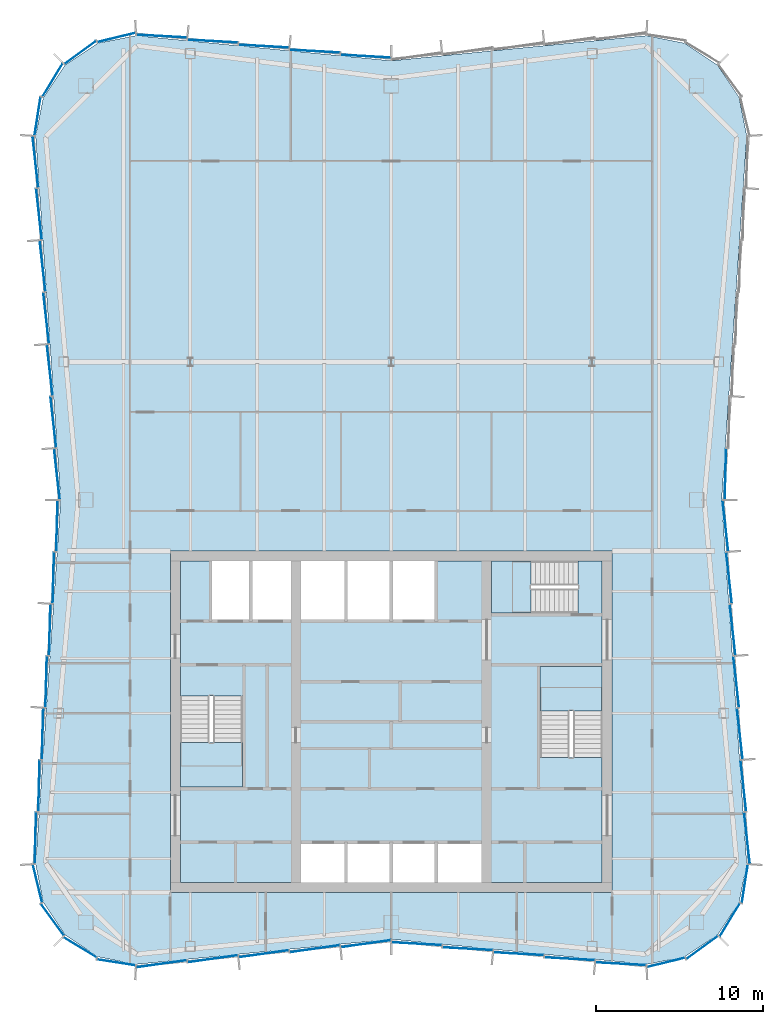
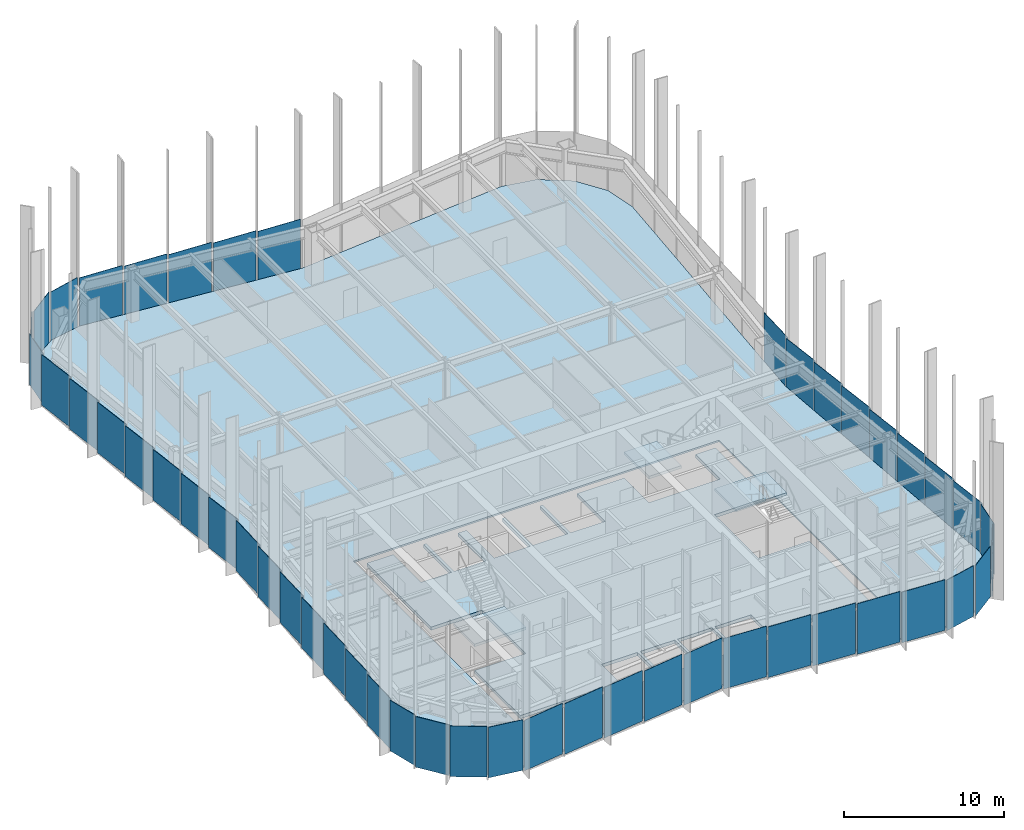
# One storey, part 8 of 13: 49 plates, 5 slabs, 10 elements without a shape of their own.
"""IFC4 building model written with IfcOpenShell, lengths in metres."""

from ifc_helpers import new_model, si_unit, direction, frame, origin, origin_2d, place, context, subcontext, project, spatial, polyline, rectangle, outline, extrude, material, layer, layer_set, type_object, element, aggregate, save


model = new_model("IFC4")

# Units and contexts
model_context = context("Model", 3, precision=1e-05, world=origin(), true_north=direction((0.0, 1.0)))
body_context = subcontext(model_context, "Body", "Model", "MODEL_VIEW")
ifc_project = project(units=[si_unit("LENGTHUNIT", "METRE"), si_unit("AREAUNIT", "SQUARE_METRE"), si_unit("VOLUMEUNIT", "CUBIC_METRE"), si_unit("PLANEANGLEUNIT", "RADIAN"), si_unit("MASSUNIT", "GRAM", prefix="KILO")], contexts=[model_context])

# Site, building, storey
site_placement = place(None, origin())
site = spatial("IfcSite", under=ifc_project, at=site_placement, CompositionType="ELEMENT")
building_placement = place(site_placement, origin())
building = spatial("IfcBuilding", under=site, at=building_placement, Name="Verdant Reach Tower", CompositionType="ELEMENT")
storey_placement = place(building_placement, frame((0.0, 0.0, 318.0)))
storey = spatial("IfcBuildingStorey", under=building, at=storey_placement, Name="L73", CompositionType="ELEMENT", Elevation=318.0)

# Stair, slab
ifc_material_1 = material(Name="Concrete C40/50", Category="concrete")
stair_type = type_object("IfcStairType", Name="CO-STAIR", PredefinedType="HALF_TURN_STAIR", material=ifc_material_1)
stair_1_placement = place(storey_placement, origin())
stair_1 = element("IfcStair", 1, at=stair_1_placement, inside=storey, type_object=stair_type, Name="L73 Exit stair 1", PredefinedType="HALF_TURN_STAIR")
ifc_layer_1 = layer(ifc_material_1, 0.199951171875)
ifc_layer_set_1 = layer_set([ifc_layer_1], Name="CO-STAIR-LANDING")
slab_type_1 = type_object("IfcSlabType", Name="CO-STAIR-LANDING", PredefinedType="LANDING", material=ifc_layer_set_1)
slab_1_placement = place(storey_placement, frame((0.0, 0.0, 1.800048828125)))
slab_1 = element("IfcSlab", 2, at=slab_1_placement, type_object=slab_type_1, Name="ST-1 landing 1", PredefinedType="LANDING", context=body_context, shape_type="SweptSolid", body=[
    extrude(outline(polyline([(-12.60009765625, 26.75), (-12.60009765625, 24.10009765625), (-8.89990234375, 24.10009765625), (-8.89990234375, 26.75), (-12.60009765625, 26.75)])), origin(), (0.0, 0.0, 1.0), 0.199951171875),
])
aggregate(stair_1, [slab_1])

stair_2_placement = place(storey_placement, origin())
stair_2 = element("IfcStair", 3, at=stair_2_placement, inside=storey, type_object=stair_type, Name="L73 Exit stair 2", PredefinedType="HALF_TURN_STAIR")
slab_2_placement = place(storey_placement, frame((0.0, 0.0, 1.800048828125)))
slab_2 = element("IfcSlab", 4, at=slab_2_placement, type_object=slab_type_1, Name="ST-2 landing 1", PredefinedType="LANDING", context=body_context, shape_type="SweptSolid", body=[
    extrude(outline(polyline([(12.60009765625, 28.64990234375), (12.60009765625, 31.300048828125), (8.89990234375, 31.300048828125), (8.89990234375, 28.64990234375), (12.60009765625, 28.64990234375)])), origin(), (0.0, 0.0, 1.0), 0.199951171875),
])
aggregate(stair_2, [slab_2])

stair_3_placement = place(storey_placement, origin())
stair_3 = element("IfcStair", 5, at=stair_3_placement, inside=storey, type_object=stair_type, Name="L73 Exit stair 3", PredefinedType="HALF_TURN_STAIR")
slab_3_placement = place(storey_placement, frame((0.0, 0.0, 1.800048828125)))
slab_3 = element("IfcSlab", 6, at=slab_3_placement, type_object=slab_type_1, Name="ST-3 landing 1", PredefinedType="LANDING", context=body_context, shape_type="SweptSolid", body=[
    extrude(outline(polyline([(8.35009765625, 37.60009765625), (6.0, 37.60009765625), (6.0, 34.5), (8.35009765625, 34.5), (8.35009765625, 37.60009765625)])), origin(), (0.0, 0.0, 1.0), 0.199951171875),
])
aggregate(stair_3, [slab_3])

# Curtain wall, plates
ifc_material_2 = material(Name="Anodised aluminium", Category="aluminium")
curtain_wall_type = type_object("IfcCurtainWallType", Name="EN-CW SYSTEM Z5", PredefinedType="NOTDEFINED", material=ifc_material_2)
curtain_wall_1_placement = place(storey_placement, origin())
curtain_wall_1 = element("IfcCurtainWall", 7, at=curtain_wall_1_placement, inside=storey, type_object=curtain_wall_type, Name="Curtain wall south-east corner, L73", PredefinedType="NOTDEFINED")
ifc_material_3 = material(Name="Tinted glass with champagne spandrel", Category="glass")
ifc_layer_2 = layer(ifc_material_3, 0.031982421875)
ifc_layer_set_2 = layer_set([ifc_layer_2], Name="EN-PANEL CHAMPAGNE")
plate_type_1 = type_object("IfcPlateType", Name="EN-PANEL CHAMPAGNE", PredefinedType="CURTAIN_PANEL", material=ifc_layer_set_2)
plate_1_placement = place(storey_placement, frame((16.4228515625, 13.61767578125, -0.219970703125), z_axis=(0.0, 0.0, 1.0), x_axis=(0.971661765526, 0.236375577028, 0.0)))
plate_1 = element("IfcPlate", 8, at=plate_1_placement, type_object=plate_type_1, Name="Glass panel south-east corner 1.1, L73", PredefinedType="CURTAIN_PANEL", context=body_context, shape_type="SweptSolid", body=[
    extrude(rectangle(XDim=2.314453125, YDim=0.031982421875, at=origin_2d()), origin(), (0.0, 0.0, 1.0), 3.8701171875),
])
plate_2_placement = place(storey_placement, frame((18.58203125, 14.51318359375, -0.219970703125), z_axis=(0.0, 0.0, 1.0), x_axis=(0.807456783236, 0.58992672698, 0.0)))
plate_2 = element("IfcPlate", 9, at=plate_2_placement, type_object=plate_type_1, Name="Glass panel south-east corner 2.1, L73", PredefinedType="CURTAIN_PANEL", context=body_context, shape_type="SweptSolid", body=[
    extrude(rectangle(XDim=2.320068359375, YDim=0.031982421875, at=origin_2d()), origin(), (0.0, 0.0, 1.0), 3.8701171875),
])

curtain_wall_2_placement = place(storey_placement, origin())
curtain_wall_2 = element("IfcCurtainWall", 10, at=curtain_wall_2_placement, inside=storey, type_object=curtain_wall_type, Name="Curtain wall east, L73", PredefinedType="NOTDEFINED")
plate_3_placement = place(storey_placement, frame((20.18603515625, 36.59716796875, -0.219970703125), z_axis=(0.0, 0.0, 1.0), x_axis=(-0.110518162674, 0.993874104562, 0.0)))
plate_3 = element("IfcPlate", 11, at=plate_3_placement, type_object=plate_type_1, Name="Glass panel east face part 1 6.1, L73", PredefinedType="CURTAIN_PANEL", context=body_context, shape_type="SweptSolid", body=[
    extrude(rectangle(XDim=3.048583984375, YDim=0.031982421875, at=origin_2d()), origin(), (0.0, 0.0, 1.0), 3.8701171875),
])
plate_4_placement = place(storey_placement, frame((19.971923828125, 39.700439453125, -0.219970703125), z_axis=(0.0, 0.0, 1.0), x_axis=(-0.110605344993, 0.993864406073, 0.0)))
plate_4 = element("IfcPlate", 12, at=plate_4_placement, type_object=plate_type_1, Name="Glass panel east face part 1 7.1, L73", PredefinedType="CURTAIN_PANEL", context=body_context, shape_type="SweptSolid", body=[
    extrude(rectangle(XDim=3.04052734375, YDim=0.031982421875, at=origin_2d()), origin(), (0.0, 0.0, 1.0), 3.8701171875),
])
plate_5_placement = place(storey_placement, frame((19.971923828125, 42.799560546875, -0.219970703125), z_axis=(0.0, 0.0, 1.0), x_axis=(0.027053006415, 0.999634000444, 0.0)))
plate_5 = element("IfcPlate", 13, at=plate_5_placement, type_object=plate_type_1, Name="Glass panel east face part 2 1.1, L73", PredefinedType="CURTAIN_PANEL", context=body_context, shape_type="SweptSolid", body=[
    extrude(rectangle(XDim=3.04052734375, YDim=0.031982421875, at=origin_2d()), origin(), (0.0, 0.0, 1.0), 3.8701171875),
])

curtain_wall_3_placement = place(storey_placement, origin())
curtain_wall_3 = element("IfcCurtainWall", 14, at=curtain_wall_3_placement, inside=storey, type_object=curtain_wall_type, Name="Curtain wall west, L73", PredefinedType="NOTDEFINED")
plate_6_placement = place(storey_placement, frame((-20.8291015625, 55.22412109375, -0.219970703125), z_axis=(0.0, 0.0, 1.0), x_axis=(0.110518162674, -0.993874104562, 0.0)))
plate_6 = element("IfcPlate", 15, at=plate_6_placement, type_object=plate_type_1, Name="Glass panel west face part 1 3.1, L73", PredefinedType="CURTAIN_PANEL", context=body_context, shape_type="SweptSolid", body=[
    extrude(rectangle(XDim=3.048583984375, YDim=0.031982421875, at=origin_2d()), origin(), (0.0, 0.0, 1.0), 3.8701171875),
])
plate_7_placement = place(storey_placement, frame((-20.61474609375, 52.1171875, -0.219970703125), z_axis=(0.0, 0.0, 1.0), x_axis=(0.110518162674, -0.993874104562, 0.0)))
plate_7 = element("IfcPlate", 16, at=plate_7_placement, type_object=plate_type_1, Name="Glass panel west face part 1 4.1, L73", PredefinedType="CURTAIN_PANEL", context=body_context, shape_type="SweptSolid", body=[
    extrude(rectangle(XDim=3.048583984375, YDim=0.031982421875, at=origin_2d()), origin(), (0.0, 0.0, 1.0), 3.8701171875),
])
plate_8_placement = place(storey_placement, frame((-20.61474609375, 30.3828125, -0.219970703125), z_axis=(0.0, 0.0, 1.0), x_axis=(-0.026965318308, -0.999636369691, 0.0)))
plate_8 = element("IfcPlate", 17, at=plate_8_placement, type_object=plate_type_1, Name="Glass panel west face part 2 4.1, L73", PredefinedType="CURTAIN_PANEL", context=body_context, shape_type="SweptSolid", body=[
    extrude(rectangle(XDim=3.048583984375, YDim=0.031982421875, at=origin_2d()), origin(), (0.0, 0.0, 1.0), 3.8701171875),
])
plate_9_placement = place(storey_placement, frame((-20.8291015625, 27.27587890625, -0.219970703125), z_axis=(0.0, 0.0, 1.0), x_axis=(-0.026965318308, -0.999636369691, 0.0)))
plate_9 = element("IfcPlate", 18, at=plate_9_placement, type_object=plate_type_1, Name="Glass panel west face part 2 5.1, L73", PredefinedType="CURTAIN_PANEL", context=body_context, shape_type="SweptSolid", body=[
    extrude(rectangle(XDim=3.048583984375, YDim=0.031982421875, at=origin_2d()), origin(), (0.0, 0.0, 1.0), 3.8701171875),
])
plate_10_placement = place(storey_placement, frame((-21.043212890625, 24.168701171875, -0.219970703125), z_axis=(0.0, 0.0, 1.0), x_axis=(-0.026965318308, -0.999636369691, 0.0)))
plate_10 = element("IfcPlate", 19, at=plate_10_placement, type_object=plate_type_1, Name="Glass panel west face part 2 6.1, L73", PredefinedType="CURTAIN_PANEL", context=body_context, shape_type="SweptSolid", body=[
    extrude(rectangle(XDim=3.048583984375, YDim=0.031982421875, at=origin_2d()), origin(), (0.0, 0.0, 1.0), 3.8701171875),
])

curtain_wall_4_placement = place(storey_placement, origin())
curtain_wall_4 = element("IfcCurtainWall", 20, at=curtain_wall_4_placement, inside=storey, type_object=curtain_wall_type, Name="Curtain wall south-west corner, L73", PredefinedType="NOTDEFINED")
plate_11_placement = place(storey_placement, frame((-18.58203125, 14.51318359375, -0.219970703125), z_axis=(0.0, 0.0, 1.0), x_axis=(0.853988714885, -0.520291528711, 0.0)))
plate_11 = element("IfcPlate", 21, at=plate_11_placement, type_object=plate_type_1, Name="Glass panel south-west corner 3.1, L73", PredefinedType="CURTAIN_PANEL", context=body_context, shape_type="SweptSolid", body=[
    extrude(rectangle(XDim=2.320068359375, YDim=0.031982421875, at=origin_2d()), origin(), (0.0, 0.0, 1.0), 3.8701171875),
])
plate_12_placement = place(storey_placement, frame((-16.4228515625, 13.61767578125, -0.219970703125), z_axis=(0.0, 0.0, 1.0), x_axis=(0.988033409454, -0.154240013621, 0.0)))
plate_12 = element("IfcPlate", 22, at=plate_12_placement, type_object=plate_type_1, Name="Glass panel south-west corner 4.1, L73", PredefinedType="CURTAIN_PANEL", context=body_context, shape_type="SweptSolid", body=[
    extrude(rectangle(XDim=2.314453125, YDim=0.031982421875, at=origin_2d()), origin(), (0.0, 0.0, 1.0), 3.8701171875),
])

curtain_wall_5_placement = place(storey_placement, origin())
curtain_wall_5 = element("IfcCurtainWall", 23, at=curtain_wall_5_placement, inside=storey, type_object=curtain_wall_type, Name="Curtain wall south, L73", PredefinedType="NOTDEFINED")
plate_13_placement = place(storey_placement, frame((-13.72216796875, 13.535400390625, -0.219970703125), z_axis=(0.0, 0.0, 1.0), x_axis=(0.990281521639, 0.139077345032, 0.0)))
plate_13 = element("IfcPlate", 24, at=plate_13_placement, type_object=plate_type_1, Name="Glass panel south face part 1 1.1, L73", PredefinedType="CURTAIN_PANEL", context=body_context, shape_type="SweptSolid", body=[
    extrude(rectangle(XDim=3.015625, YDim=0.031982421875, at=origin_2d()), origin(), (0.0, 0.0, 1.0), 3.8701171875),
])
plate_14_placement = place(storey_placement, frame((-10.663818359375, 13.83544921875, -0.219970703125), z_axis=(0.0, 0.0, 1.0), x_axis=(0.990225318365, 0.139476947446, 0.0)))
plate_14 = element("IfcPlate", 25, at=plate_14_placement, type_object=plate_type_1, Name="Glass panel south face part 1 2.1, L73", PredefinedType="CURTAIN_PANEL", context=body_context, shape_type="SweptSolid", body=[
    extrude(rectangle(XDim=2.998779296875, YDim=0.031982421875, at=origin_2d()), origin(), (0.0, 0.0, 1.0), 3.8701171875),
])
plate_15_placement = place(storey_placement, frame((4.563720703125, 14.435546875, -0.219970703125), z_axis=(0.0, 0.0, 1.0), x_axis=(0.998423588956, -0.056127863106, 0.0)))
plate_15 = element("IfcPlate", 26, at=plate_15_placement, type_object=plate_type_1, Name="Glass panel south face part 2 2.1, L73", PredefinedType="CURTAIN_PANEL", context=body_context, shape_type="SweptSolid", body=[
    extrude(rectangle(XDim=2.998779296875, YDim=0.031982421875, at=origin_2d()), origin(), (0.0, 0.0, 1.0), 3.8701171875),
])
plate_16_placement = place(storey_placement, frame((7.61376953125, 14.135498046875, -0.219970703125), z_axis=(0.0, 0.0, 1.0), x_axis=(0.998423588956, -0.056127863106, 0.0)))
plate_16 = element("IfcPlate", 27, at=plate_16_placement, type_object=plate_type_1, Name="Glass panel south face part 2 3.1, L73", PredefinedType="CURTAIN_PANEL", context=body_context, shape_type="SweptSolid", body=[
    extrude(rectangle(XDim=2.998779296875, YDim=0.031982421875, at=origin_2d()), origin(), (0.0, 0.0, 1.0), 3.8701171875),
])
plate_17_placement = place(storey_placement, frame((10.663818359375, 13.83544921875, -0.219970703125), z_axis=(0.0, 0.0, 1.0), x_axis=(0.998423588956, -0.056127863106, 0.0)))
plate_17 = element("IfcPlate", 28, at=plate_17_placement, type_object=plate_type_1, Name="Glass panel south face part 2 4.1, L73", PredefinedType="CURTAIN_PANEL", context=body_context, shape_type="SweptSolid", body=[
    extrude(rectangle(XDim=2.998779296875, YDim=0.031982421875, at=origin_2d()), origin(), (0.0, 0.0, 1.0), 3.8701171875),
])

# Plate
ifc_material_4 = material(Name="Tinted glass with copper spandrel", Category="glass")
ifc_layer_3 = layer(ifc_material_4, 0.031982421875)
ifc_layer_set_3 = layer_set([ifc_layer_3], Name="EN-PANEL COPPER")
plate_type_2 = type_object("IfcPlateType", Name="EN-PANEL COPPER", PredefinedType="CURTAIN_PANEL", material=ifc_layer_set_3)
plate_18_placement = place(storey_placement, frame((20.23681640625, 16.16796875, -0.219970703125), z_axis=(0.0, 0.0, 1.0), x_axis=(0.520291528711, 0.853988714885, 0.0)))
plate_18 = element("IfcPlate", 29, at=plate_18_placement, type_object=plate_type_2, Name="Glass panel south-east corner 3.1, L73", PredefinedType="CURTAIN_PANEL", context=body_context, shape_type="SweptSolid", body=[
    extrude(rectangle(XDim=2.320068359375, YDim=0.031982421875, at=origin_2d()), origin(), (0.0, 0.0, 1.0), 3.8701171875),
])

plate_19_placement = place(storey_placement, frame((21.132080078125, 18.326171875, -0.219970703125), z_axis=(0.0, 0.0, 1.0), x_axis=(0.154337499461, 0.988018186199, 0.0)))
plate_19 = element("IfcPlate", 30, at=plate_19_placement, type_object=plate_type_2, Name="Glass panel south-east corner 4.1, L73", PredefinedType="CURTAIN_PANEL", context=body_context, shape_type="SweptSolid", body=[
    extrude(rectangle(XDim=2.312744140625, YDim=0.031982421875, at=origin_2d()), origin(), (0.0, 0.0, 1.0), 3.8701171875),
])

aggregate(curtain_wall_1, [plate_1, plate_2, plate_18, plate_19])

plate_20_placement = place(storey_placement, frame((21.257568359375, 21.053955078125, -0.219970703125), z_axis=(0.0, 0.0, 1.0), x_axis=(-0.110197580247, 0.993909700782, 0.0)))
plate_20 = element("IfcPlate", 31, at=plate_20_placement, type_object=plate_type_2, Name="Glass panel east face part 1 1.1, L73", PredefinedType="CURTAIN_PANEL", context=body_context, shape_type="SweptSolid", body=[
    extrude(rectangle(XDim=3.063720703125, YDim=0.031982421875, at=origin_2d()), origin(), (0.0, 0.0, 1.0), 3.8701171875),
])

plate_21_placement = place(storey_placement, frame((21.043212890625, 24.168701171875, -0.219970703125), z_axis=(0.0, 0.0, 1.0), x_axis=(-0.110518162674, 0.993874104562, 0.0)))
plate_21 = element("IfcPlate", 32, at=plate_21_placement, type_object=plate_type_2, Name="Glass panel east face part 1 2.1, L73", PredefinedType="CURTAIN_PANEL", context=body_context, shape_type="SweptSolid", body=[
    extrude(rectangle(XDim=3.048583984375, YDim=0.031982421875, at=origin_2d()), origin(), (0.0, 0.0, 1.0), 3.8701171875),
])

plate_22_placement = place(storey_placement, frame((20.8291015625, 27.27587890625, -0.219970703125), z_axis=(0.0, 0.0, 1.0), x_axis=(-0.110518162674, 0.993874104562, 0.0)))
plate_22 = element("IfcPlate", 33, at=plate_22_placement, type_object=plate_type_2, Name="Glass panel east face part 1 3.1, L73", PredefinedType="CURTAIN_PANEL", context=body_context, shape_type="SweptSolid", body=[
    extrude(rectangle(XDim=3.048583984375, YDim=0.031982421875, at=origin_2d()), origin(), (0.0, 0.0, 1.0), 3.8701171875),
])

# Curtain wall, plates
curtain_wall_6_placement = place(storey_placement, origin())
curtain_wall_6 = element("IfcCurtainWall", 34, at=curtain_wall_6_placement, inside=storey, type_object=curtain_wall_type, Name="Curtain wall north, L73", PredefinedType="NOTDEFINED")
plate_23_placement = place(storey_placement, frame((-1.519287109375, 67.7646484375, -0.219970703125), z_axis=(0.0, 0.0, 1.0), x_axis=(-0.998413420442, 0.05630845301, 0.0)))
plate_23 = element("IfcPlate", 35, at=plate_23_placement, type_object=plate_type_2, Name="Glass panel north face part 2 1.1, L73", PredefinedType="CURTAIN_PANEL", context=body_context, shape_type="SweptSolid", body=[
    extrude(rectangle(XDim=2.987548828125, YDim=0.031982421875, at=origin_2d()), origin(), (0.0, 0.0, 1.0), 3.8701171875),
])
plate_24_placement = place(storey_placement, frame((-4.563720703125, 68.064453125, -0.219970703125), z_axis=(0.0, 0.0, 1.0), x_axis=(-0.998423588956, 0.056127863106, 0.0)))
plate_24 = element("IfcPlate", 36, at=plate_24_placement, type_object=plate_type_2, Name="Glass panel north face part 2 2.1, L73", PredefinedType="CURTAIN_PANEL", context=body_context, shape_type="SweptSolid", body=[
    extrude(rectangle(XDim=2.998779296875, YDim=0.031982421875, at=origin_2d()), origin(), (0.0, 0.0, 1.0), 3.8701171875),
])
plate_25_placement = place(storey_placement, frame((-7.61376953125, 68.364501953125, -0.219970703125), z_axis=(0.0, 0.0, 1.0), x_axis=(-0.998423588956, 0.056127863106, 0.0)))
plate_25 = element("IfcPlate", 37, at=plate_25_placement, type_object=plate_type_2, Name="Glass panel north face part 2 3.1, L73", PredefinedType="CURTAIN_PANEL", context=body_context, shape_type="SweptSolid", body=[
    extrude(rectangle(XDim=2.998779296875, YDim=0.031982421875, at=origin_2d()), origin(), (0.0, 0.0, 1.0), 3.8701171875),
])

# Curtain wall, plate
curtain_wall_7_placement = place(storey_placement, origin())
curtain_wall_7 = element("IfcCurtainWall", 38, at=curtain_wall_7_placement, inside=storey, type_object=curtain_wall_type, Name="Curtain wall north-west corner, L73", PredefinedType="NOTDEFINED")
plate_26_placement = place(storey_placement, frame((-16.4228515625, 68.88232421875, -0.219970703125), z_axis=(0.0, 0.0, 1.0), x_axis=(-0.971661765526, -0.236375577028, 0.0)))
plate_26 = element("IfcPlate", 39, at=plate_26_placement, type_object=plate_type_2, Name="Glass panel north-west corner 1.1, L73", PredefinedType="CURTAIN_PANEL", context=body_context, shape_type="SweptSolid", body=[
    extrude(rectangle(XDim=2.314453125, YDim=0.031982421875, at=origin_2d()), origin(), (0.0, 0.0, 1.0), 3.8701171875),
])

# Plate
plate_27_placement = place(storey_placement, frame((-20.400390625, 49.010009765625, -0.219970703125), z_axis=(0.0, 0.0, 1.0), x_axis=(0.110518162674, -0.993874104562, 0.0)))
plate_27 = element("IfcPlate", 40, at=plate_27_placement, type_object=plate_type_2, Name="Glass panel west face part 1 5.1, L73", PredefinedType="CURTAIN_PANEL", context=body_context, shape_type="SweptSolid", body=[
    extrude(rectangle(XDim=3.048583984375, YDim=0.031982421875, at=origin_2d()), origin(), (0.0, 0.0, 1.0), 3.8701171875),
])

plate_28_placement = place(storey_placement, frame((-20.18603515625, 45.90283203125, -0.219970703125), z_axis=(0.0, 0.0, 1.0), x_axis=(0.110518162674, -0.993874104562, 0.0)))
plate_28 = element("IfcPlate", 41, at=plate_28_placement, type_object=plate_type_2, Name="Glass panel west face part 1 6.1, L73", PredefinedType="CURTAIN_PANEL", context=body_context, shape_type="SweptSolid", body=[
    extrude(rectangle(XDim=3.048583984375, YDim=0.031982421875, at=origin_2d()), origin(), (0.0, 0.0, 1.0), 3.8701171875),
])

plate_29_placement = place(storey_placement, frame((-19.971923828125, 42.799560546875, -0.219970703125), z_axis=(0.0, 0.0, 1.0), x_axis=(0.110605344993, -0.993864406073, 0.0)))
plate_29 = element("IfcPlate", 42, at=plate_29_placement, type_object=plate_type_2, Name="Glass panel west face part 1 7.1, L73", PredefinedType="CURTAIN_PANEL", context=body_context, shape_type="SweptSolid", body=[
    extrude(rectangle(XDim=3.04052734375, YDim=0.031982421875, at=origin_2d()), origin(), (0.0, 0.0, 1.0), 3.8701171875),
])

plate_30_placement = place(storey_placement, frame((-19.971923828125, 39.700439453125, -0.219970703125), z_axis=(0.0, 0.0, 1.0), x_axis=(-0.027053006415, -0.999634000444, 0.0)))
plate_30 = element("IfcPlate", 43, at=plate_30_placement, type_object=plate_type_2, Name="Glass panel west face part 2 1.1, L73", PredefinedType="CURTAIN_PANEL", context=body_context, shape_type="SweptSolid", body=[
    extrude(rectangle(XDim=3.04052734375, YDim=0.031982421875, at=origin_2d()), origin(), (0.0, 0.0, 1.0), 3.8701171875),
])

plate_31_placement = place(storey_placement, frame((-21.257568359375, 21.053955078125, -0.219970703125), z_axis=(0.0, 0.0, 1.0), x_axis=(-0.026642881595, -0.999645015423, 0.0)))
plate_31 = element("IfcPlate", 44, at=plate_31_placement, type_object=plate_type_2, Name="Glass panel west face part 2 7.1, L73", PredefinedType="CURTAIN_PANEL", context=body_context, shape_type="SweptSolid", body=[
    extrude(rectangle(XDim=3.063720703125, YDim=0.031982421875, at=origin_2d()), origin(), (0.0, 0.0, 1.0), 3.8701171875),
])

plate_32_placement = place(storey_placement, frame((-7.61376953125, 14.135498046875, -0.219970703125), z_axis=(0.0, 0.0, 1.0), x_axis=(0.990225318365, 0.139476947446, 0.0)))
plate_32 = element("IfcPlate", 45, at=plate_32_placement, type_object=plate_type_2, Name="Glass panel south face part 1 3.1, L73", PredefinedType="CURTAIN_PANEL", context=body_context, shape_type="SweptSolid", body=[
    extrude(rectangle(XDim=2.998779296875, YDim=0.031982421875, at=origin_2d()), origin(), (0.0, 0.0, 1.0), 3.8701171875),
])

plate_33_placement = place(storey_placement, frame((-4.563720703125, 14.435546875, -0.219970703125), z_axis=(0.0, 0.0, 1.0), x_axis=(0.990225318365, 0.139476947446, 0.0)))
plate_33 = element("IfcPlate", 46, at=plate_33_placement, type_object=plate_type_2, Name="Glass panel south face part 1 4.1, L73", PredefinedType="CURTAIN_PANEL", context=body_context, shape_type="SweptSolid", body=[
    extrude(rectangle(XDim=2.998779296875, YDim=0.031982421875, at=origin_2d()), origin(), (0.0, 0.0, 1.0), 3.8701171875),
])

plate_34_placement = place(storey_placement, frame((-1.519287109375, 14.7353515625, -0.219970703125), z_axis=(0.0, 0.0, 1.0), x_axis=(0.990200074141, 0.139656053116, 0.0)))
plate_34 = element("IfcPlate", 47, at=plate_34_placement, type_object=plate_type_2, Name="Glass panel south face part 1 5.1, L73", PredefinedType="CURTAIN_PANEL", context=body_context, shape_type="SweptSolid", body=[
    extrude(rectangle(XDim=2.987548828125, YDim=0.031982421875, at=origin_2d()), origin(), (0.0, 0.0, 1.0), 3.8701171875),
])

plate_35_placement = place(storey_placement, frame((13.72216796875, 13.535400390625, -0.219970703125), z_axis=(0.0, 0.0, 1.0), x_axis=(0.998446157248, -0.055724959185, 0.0)))
plate_35 = element("IfcPlate", 48, at=plate_35_placement, type_object=plate_type_2, Name="Glass panel south face part 2 5.1, L73", PredefinedType="CURTAIN_PANEL", context=body_context, shape_type="SweptSolid", body=[
    extrude(rectangle(XDim=3.015625, YDim=0.031982421875, at=origin_2d()), origin(), (0.0, 0.0, 1.0), 3.8701171875),
])

ifc_material_5 = material(Name="Tinted glass with dark bronze spandrel", Category="glass")
ifc_layer_4 = layer(ifc_material_5, 0.031982421875)
ifc_layer_set_4 = layer_set([ifc_layer_4], Name="EN-PANEL DARK")
plate_type_3 = type_object("IfcPlateType", Name="EN-PANEL DARK", PredefinedType="CURTAIN_PANEL", material=ifc_layer_set_4)
plate_36_placement = place(storey_placement, frame((20.61474609375, 30.3828125, -0.219970703125), z_axis=(0.0, 0.0, 1.0), x_axis=(-0.110518162674, 0.993874104562, 0.0)))
plate_36 = element("IfcPlate", 49, at=plate_36_placement, type_object=plate_type_3, Name="Glass panel east face part 1 4.1, L73", PredefinedType="CURTAIN_PANEL", context=body_context, shape_type="SweptSolid", body=[
    extrude(rectangle(XDim=3.048583984375, YDim=0.031982421875, at=origin_2d()), origin(), (0.0, 0.0, 1.0), 3.8701171875),
])

plate_37_placement = place(storey_placement, frame((20.400390625, 33.489990234375, -0.219970703125), z_axis=(0.0, 0.0, 1.0), x_axis=(-0.110518162674, 0.993874104562, 0.0)))
plate_37 = element("IfcPlate", 50, at=plate_37_placement, type_object=plate_type_3, Name="Glass panel east face part 1 5.1, L73", PredefinedType="CURTAIN_PANEL", context=body_context, shape_type="SweptSolid", body=[
    extrude(rectangle(XDim=3.048583984375, YDim=0.031982421875, at=origin_2d()), origin(), (0.0, 0.0, 1.0), 3.8701171875),
])

aggregate(curtain_wall_2, [plate_20, plate_21, plate_22, plate_36, plate_37, plate_3, plate_4, plate_5])

plate_38_placement = place(storey_placement, frame((-10.663818359375, 68.66455078125, -0.219970703125), z_axis=(0.0, 0.0, 1.0), x_axis=(-0.998423588956, 0.056127863106, 0.0)))
plate_38 = element("IfcPlate", 51, at=plate_38_placement, type_object=plate_type_3, Name="Glass panel north face part 2 4.1, L73", PredefinedType="CURTAIN_PANEL", context=body_context, shape_type="SweptSolid", body=[
    extrude(rectangle(XDim=2.998779296875, YDim=0.031982421875, at=origin_2d()), origin(), (0.0, 0.0, 1.0), 3.8701171875),
])

plate_39_placement = place(storey_placement, frame((-13.72216796875, 68.964599609375, -0.219970703125), z_axis=(0.0, 0.0, 1.0), x_axis=(-0.998446157248, 0.055724959185, 0.0)))
plate_39 = element("IfcPlate", 52, at=plate_39_placement, type_object=plate_type_3, Name="Glass panel north face part 2 5.1, L73", PredefinedType="CURTAIN_PANEL", context=body_context, shape_type="SweptSolid", body=[
    extrude(rectangle(XDim=3.015625, YDim=0.031982421875, at=origin_2d()), origin(), (0.0, 0.0, 1.0), 3.8701171875),
])

aggregate(curtain_wall_6, [plate_23, plate_24, plate_25, plate_38, plate_39])

plate_40_placement = place(storey_placement, frame((-18.58203125, 67.98681640625, -0.219970703125), z_axis=(0.0, 0.0, 1.0), x_axis=(-0.807456783236, -0.58992672698, 0.0)))
plate_40 = element("IfcPlate", 53, at=plate_40_placement, type_object=plate_type_3, Name="Glass panel north-west corner 2.1, L73", PredefinedType="CURTAIN_PANEL", context=body_context, shape_type="SweptSolid", body=[
    extrude(rectangle(XDim=2.320068359375, YDim=0.031982421875, at=origin_2d()), origin(), (0.0, 0.0, 1.0), 3.8701171875),
])

plate_41_placement = place(storey_placement, frame((-20.23681640625, 66.33203125, -0.219970703125), z_axis=(0.0, 0.0, 1.0), x_axis=(-0.520291528711, -0.853988714885, 0.0)))
plate_41 = element("IfcPlate", 54, at=plate_41_placement, type_object=plate_type_3, Name="Glass panel north-west corner 3.1, L73", PredefinedType="CURTAIN_PANEL", context=body_context, shape_type="SweptSolid", body=[
    extrude(rectangle(XDim=2.320068359375, YDim=0.031982421875, at=origin_2d()), origin(), (0.0, 0.0, 1.0), 3.8701171875),
])

plate_42_placement = place(storey_placement, frame((-21.132080078125, 64.173828125, -0.219970703125), z_axis=(0.0, 0.0, 1.0), x_axis=(-0.154337499461, -0.988018186199, 0.0)))
plate_42 = element("IfcPlate", 55, at=plate_42_placement, type_object=plate_type_3, Name="Glass panel north-west corner 4.1, L73", PredefinedType="CURTAIN_PANEL", context=body_context, shape_type="SweptSolid", body=[
    extrude(rectangle(XDim=2.312744140625, YDim=0.031982421875, at=origin_2d()), origin(), (0.0, 0.0, 1.0), 3.8701171875),
])

aggregate(curtain_wall_7, [plate_26, plate_40, plate_41, plate_42])

plate_43_placement = place(storey_placement, frame((-21.257568359375, 61.446044921875, -0.219970703125), z_axis=(0.0, 0.0, 1.0), x_axis=(0.110197580247, -0.993909700782, 0.0)))
plate_43 = element("IfcPlate", 56, at=plate_43_placement, type_object=plate_type_3, Name="Glass panel west face part 1 1.1, L73", PredefinedType="CURTAIN_PANEL", context=body_context, shape_type="SweptSolid", body=[
    extrude(rectangle(XDim=3.063720703125, YDim=0.031982421875, at=origin_2d()), origin(), (0.0, 0.0, 1.0), 3.8701171875),
])

plate_44_placement = place(storey_placement, frame((-21.043212890625, 58.331298828125, -0.219970703125), z_axis=(0.0, 0.0, 1.0), x_axis=(0.110518162674, -0.993874104562, 0.0)))
plate_44 = element("IfcPlate", 57, at=plate_44_placement, type_object=plate_type_3, Name="Glass panel west face part 1 2.1, L73", PredefinedType="CURTAIN_PANEL", context=body_context, shape_type="SweptSolid", body=[
    extrude(rectangle(XDim=3.048583984375, YDim=0.031982421875, at=origin_2d()), origin(), (0.0, 0.0, 1.0), 3.8701171875),
])

plate_45_placement = place(storey_placement, frame((-20.18603515625, 36.59716796875, -0.219970703125), z_axis=(0.0, 0.0, 1.0), x_axis=(-0.026965318308, -0.999636369691, 0.0)))
plate_45 = element("IfcPlate", 58, at=plate_45_placement, type_object=plate_type_3, Name="Glass panel west face part 2 2.1, L73", PredefinedType="CURTAIN_PANEL", context=body_context, shape_type="SweptSolid", body=[
    extrude(rectangle(XDim=3.048583984375, YDim=0.031982421875, at=origin_2d()), origin(), (0.0, 0.0, 1.0), 3.8701171875),
])

plate_46_placement = place(storey_placement, frame((-20.400390625, 33.489990234375, -0.219970703125), z_axis=(0.0, 0.0, 1.0), x_axis=(-0.026965318308, -0.999636369691, 0.0)))
plate_46 = element("IfcPlate", 59, at=plate_46_placement, type_object=plate_type_3, Name="Glass panel west face part 2 3.1, L73", PredefinedType="CURTAIN_PANEL", context=body_context, shape_type="SweptSolid", body=[
    extrude(rectangle(XDim=3.048583984375, YDim=0.031982421875, at=origin_2d()), origin(), (0.0, 0.0, 1.0), 3.8701171875),
])

aggregate(curtain_wall_3, [plate_43, plate_44, plate_6, plate_7, plate_27, plate_28, plate_29, plate_30, plate_45, plate_46, plate_8, plate_9, plate_10, plate_31])

plate_47_placement = place(storey_placement, frame((-21.132080078125, 18.326171875, -0.219970703125), z_axis=(0.0, 0.0, 1.0), x_axis=(0.236471447122, -0.971638438256, 0.0)))
plate_47 = element("IfcPlate", 60, at=plate_47_placement, type_object=plate_type_3, Name="Glass panel south-west corner 1.1, L73", PredefinedType="CURTAIN_PANEL", context=body_context, shape_type="SweptSolid", body=[
    extrude(rectangle(XDim=2.312744140625, YDim=0.031982421875, at=origin_2d()), origin(), (0.0, 0.0, 1.0), 3.8701171875),
])

plate_48_placement = place(storey_placement, frame((-20.23681640625, 16.16796875, -0.219970703125), z_axis=(0.0, 0.0, 1.0), x_axis=(0.58992672698, -0.807456783236, 0.0)))
plate_48 = element("IfcPlate", 61, at=plate_48_placement, type_object=plate_type_3, Name="Glass panel south-west corner 2.1, L73", PredefinedType="CURTAIN_PANEL", context=body_context, shape_type="SweptSolid", body=[
    extrude(rectangle(XDim=2.320068359375, YDim=0.031982421875, at=origin_2d()), origin(), (0.0, 0.0, 1.0), 3.8701171875),
])

aggregate(curtain_wall_4, [plate_47, plate_48, plate_11, plate_12])

plate_49_placement = place(storey_placement, frame((1.519287109375, 14.7353515625, -0.219970703125), z_axis=(0.0, 0.0, 1.0), x_axis=(0.998413420442, -0.05630845301, 0.0)))
plate_49 = element("IfcPlate", 62, at=plate_49_placement, type_object=plate_type_3, Name="Glass panel south face part 2 1.1, L73", PredefinedType="CURTAIN_PANEL", context=body_context, shape_type="SweptSolid", body=[
    extrude(rectangle(XDim=2.987548828125, YDim=0.031982421875, at=origin_2d()), origin(), (0.0, 0.0, 1.0), 3.8701171875),
])

aggregate(curtain_wall_5, [plate_13, plate_14, plate_32, plate_33, plate_34, plate_49, plate_15, plate_16, plate_17, plate_35])

# Slabs
ifc_material_6 = material(Name="Concrete C35/45", Category="concrete")
ifc_layer_5 = layer(ifc_material_6, 0.1298828125)
ifc_layer_set_5 = layer_set([ifc_layer_5], Name="ST-SLAB-130")
slab_type_2 = type_object("IfcSlabType", Name="ST-SLAB-130", PredefinedType="FLOOR", material=ifc_layer_set_5)
slab_4_placement = place(storey_placement, frame((0.0, 0.0, -0.1298828125)))
element("IfcSlab", 63, at=slab_4_placement, inside=storey, type_object=slab_type_2, Name="Floor slab L73", PredefinedType="FLOOR", context=body_context, shape_type="SweptSolid", body=[
    extrude(outline(polyline([(0.0, 15.0), (-15.25, 13.5), (-17.546142578125, 13.956787109375), (-19.49267578125, 15.25732421875), (-20.793212890625, 17.203857421875), (-21.25, 19.5), (-19.75, 41.25), (-21.25, 63.0), (-20.793212890625, 65.296142578125), (-19.49267578125, 67.24267578125), (-17.546142578125, 68.543212890625), (-15.25, 69.0), (0.0, 67.5), (15.25, 69.0), (17.546142578125, 68.543212890625), (19.49267578125, 67.24267578125), (20.793212890625, 65.296142578125), (21.25, 63.0), (19.75, 41.25), (21.25, 19.5), (20.793212890625, 17.203857421875), (19.49267578125, 15.25732421875), (17.546142578125, 13.956787109375), (15.25, 13.5), (0.0, 15.0)]), holes=[polyline([(13.199951171875, 38.199951171875), (-13.199951171875, 38.199951171875), (-13.199951171875, 17.800048828125), (13.199951171875, 17.800048828125), (13.199951171875, 38.199951171875)])]), origin(), (0.0, 0.0, 1.0), 0.1298828125),
])
ifc_layer_6 = layer(ifc_material_6, 0.25)
ifc_layer_set_6 = layer_set([ifc_layer_6], Name="ST-SLAB-250")
slab_type_3 = type_object("IfcSlabType", Name="ST-SLAB-250", PredefinedType="FLOOR", material=ifc_layer_set_6)
slab_5_placement = place(storey_placement, frame((0.0, 0.0, -0.25)))
element("IfcSlab", 64, at=slab_5_placement, inside=storey, type_object=slab_type_3, Name="Core floor slab L73", PredefinedType="FLOOR", context=body_context, shape_type="SweptSolid", body=[
    extrude(outline(polyline([(12.60009765625, 18.39990234375), (5.39990234375, 18.39990234375), (5.39990234375, 20.699951171875), (2.800048828125, 20.699951171875), (2.800048828125, 18.39990234375), (2.60009765625, 18.39990234375), (2.60009765625, 20.699951171875), (0.10009765625, 20.699951171875), (0.10009765625, 18.39990234375), (-0.10009765625, 18.39990234375), (-0.10009765625, 20.699951171875), (-2.60009765625, 20.699951171875), (-2.60009765625, 18.39990234375), (-2.800048828125, 18.39990234375), (-2.800048828125, 20.699951171875), (-5.39990234375, 20.699951171875), (-5.39990234375, 18.39990234375), (-12.60009765625, 18.39990234375), (-12.60009765625, 24.10009765625), (-8.89990234375, 24.10009765625), (-8.89990234375, 29.548095703125), (-12.60009765625, 29.548095703125), (-12.60009765625, 37.60009765625), (-10.699951171875, 37.60009765625), (-10.699951171875, 34.10009765625), (-8.5, 34.10009765625), (-8.5, 37.60009765625), (-8.300048828125, 37.60009765625), (-8.300048828125, 34.10009765625), (-6.0, 34.10009765625), (-6.0, 37.60009765625), (-5.39990234375, 37.60009765625), (-5.39990234375, 34.10009765625), (-2.800048828125, 34.10009765625), (-2.800048828125, 37.60009765625), (-2.60009765625, 37.60009765625), (-2.60009765625, 34.10009765625), (-0.10009765625, 34.10009765625), (-0.10009765625, 37.60009765625), (0.10009765625, 37.60009765625), (0.10009765625, 34.10009765625), (2.60009765625, 34.10009765625), (2.60009765625, 37.60009765625), (6.0, 37.60009765625), (6.0, 34.5), (11.14794921875, 34.5), (11.14794921875, 37.60009765625), (12.60009765625, 37.60009765625), (12.60009765625, 31.300048828125), (8.89990234375, 31.300048828125), (8.89990234375, 25.85205078125), (12.60009765625, 25.85205078125), (12.60009765625, 18.39990234375)])), origin(), (0.0, 0.0, 1.0), 0.25),
])

save(model, "model.ifc")
